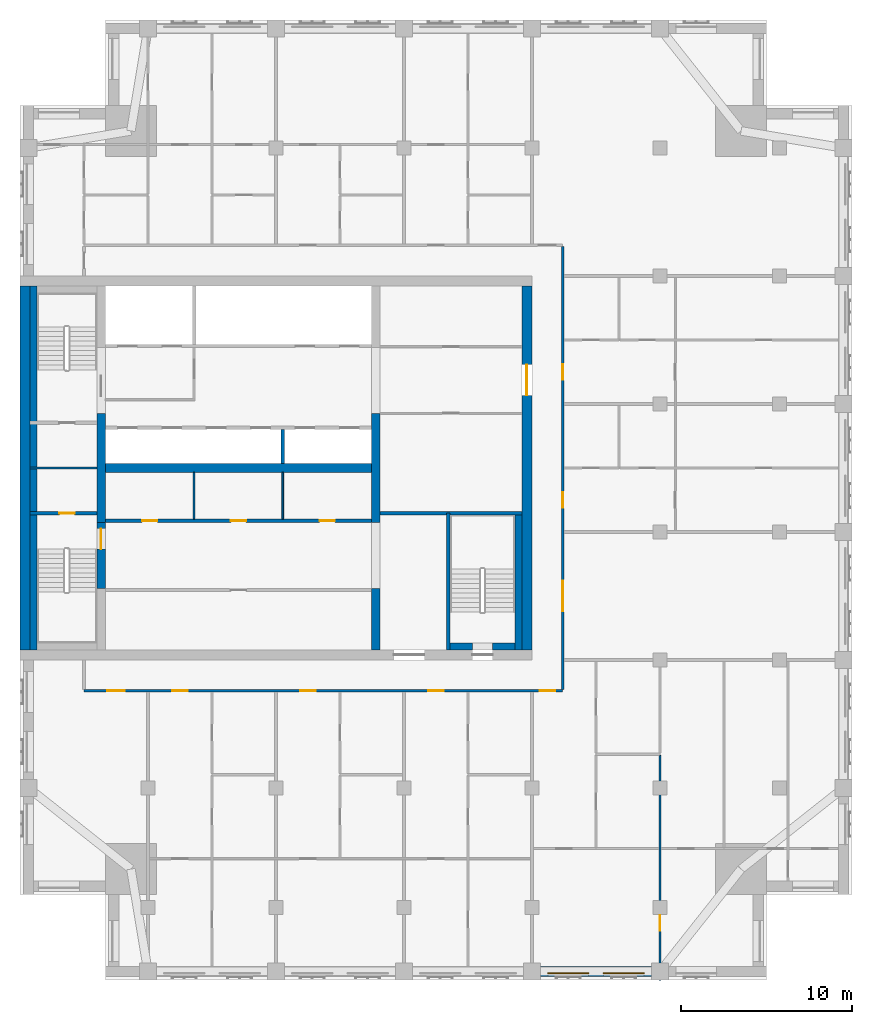
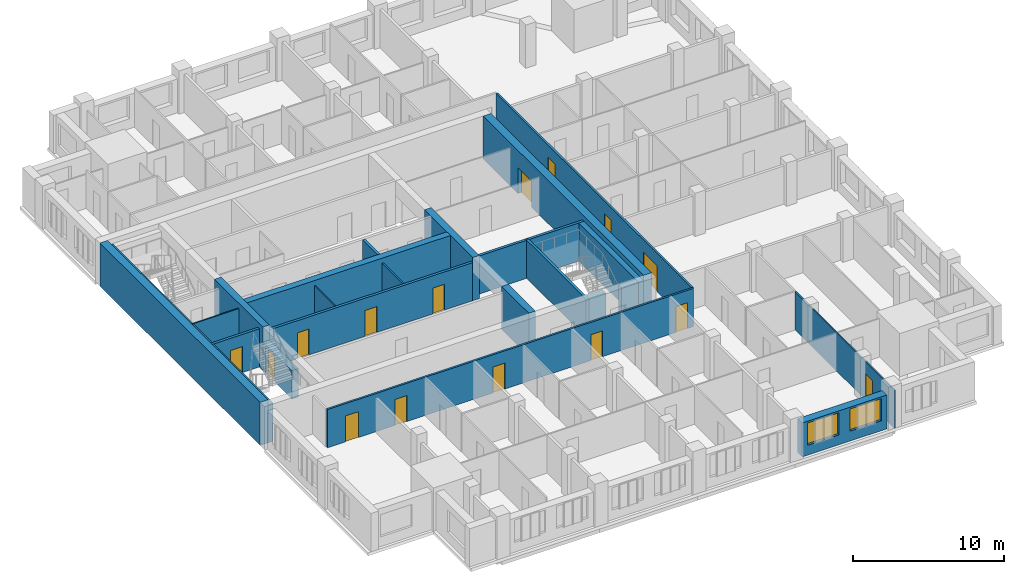
# One storey, part 4 of 11: 23 walls, 15 doors, 2 windows, 17 openings.
"""IFC4 building model written with IfcOpenShell, lengths in metres."""

from ifc_helpers import new_model, si_unit, direction, frame, frame_2d, origin, place, context, subcontext, project, spatial, rectangle, extrude, material, layer, layer_set, type_object, element, fill, save


model = new_model("IFC4")

# Units and contexts
model_context = context("Model", 3, precision=1e-05, world=origin(), true_north=direction((0.0, 1.0)))
body_context = subcontext(model_context, "Body", "Model", "MODEL_VIEW")
ifc_project = project(units=[si_unit("LENGTHUNIT", "METRE"), si_unit("AREAUNIT", "SQUARE_METRE"), si_unit("VOLUMEUNIT", "CUBIC_METRE"), si_unit("PLANEANGLEUNIT", "RADIAN"), si_unit("MASSUNIT", "GRAM", prefix="KILO")], contexts=[model_context])

# Site, building, storey
site_placement = place(None, origin())
site = spatial("IfcSite", under=ifc_project, at=site_placement, CompositionType="ELEMENT")
building_placement = place(site_placement, origin())
building = spatial("IfcBuilding", under=site, at=building_placement, Name="Tamorin Gate", CompositionType="ELEMENT")
storey_placement = place(building_placement, frame((0.0, 0.0, 254.699951171875)))
storey = spatial("IfcBuildingStorey", under=building, at=storey_placement, Name="L64", CompositionType="ELEMENT", Elevation=254.699951171875)

# Wall, openings, windows
ifc_material_1 = material(Name="Precast concrete C40/50", Category="concrete")
ifc_layer_1 = layer(ifc_material_1, 0.60009765625)
ifc_layer_set_1 = layer_set([ifc_layer_1], Name="Precast concrete C40/50")
wall_type_1 = type_object("IfcWallType", Name="Board-marked concrete facade panel 600", PredefinedType="SOLIDWALL", material=ifc_layer_set_1)
wall_1_placement = place(storey_placement, frame((60.5, 41.75, 0.0), z_axis=(0.0, 0.0, 1.0), x_axis=(1.0, 0.0, 0.0)))
wall_1 = element("IfcWall", 1, at=wall_1_placement, inside=storey, type_object=wall_type_1, Name="Facade panel", PredefinedType="SOLIDWALL", context=body_context, shape_type="SweptSolid", body=[
    extrude(rectangle(XDim=6.5, YDim=0.60009765625, at=frame_2d((3.25, 0.0))), origin(), (0.0, 0.0, 1.0), 2.75),
])
opening_1_placement = place(wall_1_placement, frame((0.425048828125, 0.0, 0.800048828125)))
opening_1 = element("IfcOpeningElement", 2, at=opening_1_placement, cuts=wall_1, Name="Opening WN1", PredefinedType="OPENING", context=body_context, shape_type="SweptSolid", body=[
    extrude(rectangle(XDim=2.39990234375, YDim=1.800048828125, at=frame_2d((1.199951171875, 0.89990234375))), frame((0.0, 0.31005859375, 0.0), z_axis=(0.0, -1.0, 0.0), x_axis=(1.0, 0.0, 0.0)), (0.0, 0.0, 1.0), 0.6201171875),
])
opening_2_placement = place(wall_1_placement, frame((3.675048828125, 0.0, 0.800048828125)))
opening_2 = element("IfcOpeningElement", 3, at=opening_2_placement, cuts=wall_1, Name="Opening WN1", PredefinedType="OPENING", context=body_context, shape_type="SweptSolid", body=[
    extrude(rectangle(XDim=2.39990234375, YDim=1.800048828125, at=frame_2d((1.199951171875, 0.89990234375))), frame((0.0, 0.31005859375, 0.0), z_axis=(0.0, -1.0, 0.0), x_axis=(1.0, 0.0, 0.0)), (0.0, 0.0, 1.0), 0.6201171875),
])
ifc_material_2 = material(Name="Clear glass in aluminium frame", Category="aluminium")
window_type = type_object("IfcWindowType", Name="Deep-set window 2400x1800", PartitioningType="SINGLE_PANEL", PredefinedType="WINDOW", material=ifc_material_2)
window_1_placement = place(opening_1_placement, origin())
window_1 = element("IfcWindow", 4, at=window_1_placement, inside=storey, type_object=window_type, Name="Deep-set window", OverallHeight=1.800048828125, OverallWidth=2.39990234375, PartitioningType="SINGLE_PANEL", PredefinedType="WINDOW", context=body_context, shape_type="SweptSolid", body=[
    extrude(rectangle(XDim=2.39990234375, YDim=1.800048828125, at=frame_2d((1.199951171875, 0.89990234375))), frame((0.0, -0.070068359375, 0.0), z_axis=(0.0, -1.0, 0.0), x_axis=(1.0, 0.0, 0.0)), (0.0, 0.0, 1.0), 0.06005859375),
])
fill(opening_1, window_1)
window_2_placement = place(opening_2_placement, origin())
window_2 = element("IfcWindow", 5, at=window_2_placement, inside=storey, type_object=window_type, Name="Deep-set window", OverallHeight=1.800048828125, OverallWidth=2.39990234375, PartitioningType="SINGLE_PANEL", PredefinedType="WINDOW", context=body_context, shape_type="SweptSolid", body=[
    extrude(rectangle(XDim=2.39990234375, YDim=1.800048828125, at=frame_2d((1.199951171875, 0.89990234375))), frame((0.0, -0.070068359375, 0.0), z_axis=(0.0, -1.0, 0.0), x_axis=(1.0, 0.0, 0.0)), (0.0, 0.0, 1.0), 0.06005859375),
])
fill(opening_2, window_2)

# Wall, openings, doors
ifc_material_3 = material(Name="Gypsum board partition")
ifc_layer_2 = layer(ifc_material_3, 0.14990234375)
ifc_layer_set_2 = layer_set([ifc_layer_2], Name="Corridor wall 150")
wall_type_2 = type_object("IfcWallType", Name="Corridor wall 150", PredefinedType="PARTITIONING", material=ifc_layer_set_2)
wall_2_placement = place(storey_placement, frame((33.75, 58.199951171875, 0.0), z_axis=(0.0, 0.0, 1.0), x_axis=(1.0, 0.0, 0.0)))
wall_2 = element("IfcWall", 6, at=wall_2_placement, inside=storey, type_object=wall_type_2, Name="Corridor wall 150", PredefinedType="PARTITIONING", context=body_context, shape_type="SweptSolid", body=[
    extrude(rectangle(XDim=28.050048828125, YDim=0.14990234375, at=frame_2d((14.02490234375, 0.0))), origin(), (0.0, 0.0, 1.0), 3.10009765625),
])
opening_3_placement = place(wall_2_placement, frame((1.375, 0.0, 0.0)))
opening_3 = element("IfcOpeningElement", 7, at=opening_3_placement, cuts=wall_2, Name="Opening DR6001", PredefinedType="OPENING", context=body_context, shape_type="SweptSolid", body=[
    extrude(rectangle(XDim=1.0, YDim=2.10009765625, at=frame_2d((0.5, 1.050048828125))), frame((0.0, 0.0849609375, 0.0), z_axis=(0.0, -1.0, 0.0), x_axis=(1.0, 0.0, 0.0)), (0.0, 0.0, 1.0), 0.169921875),
])
opening_4_placement = place(wall_2_placement, frame((5.175048828125, 0.0, 0.0)))
opening_4 = element("IfcOpeningElement", 8, at=opening_4_placement, cuts=wall_2, Name="Opening DR6002", PredefinedType="OPENING", context=body_context, shape_type="SweptSolid", body=[
    extrude(rectangle(XDim=0.89990234375, YDim=2.10009765625, at=frame_2d((0.449951171875, 1.050048828125))), frame((0.0, 0.0849609375, 0.0), z_axis=(0.0, -1.0, 0.0), x_axis=(1.0, 0.0, 0.0)), (0.0, 0.0, 1.0), 0.169921875),
])
opening_5_placement = place(wall_2_placement, frame((12.675048828125, 0.0, 0.0)))
opening_5 = element("IfcOpeningElement", 9, at=opening_5_placement, cuts=wall_2, Name="Opening DR6007", PredefinedType="OPENING", context=body_context, shape_type="SweptSolid", body=[
    extrude(rectangle(XDim=0.89990234375, YDim=2.10009765625, at=frame_2d((0.449951171875, 1.050048828125))), frame((0.0, 0.0849609375, 0.0), z_axis=(0.0, -1.0, 0.0), x_axis=(1.0, 0.0, 0.0)), (0.0, 0.0, 1.0), 0.169921875),
])
opening_6_placement = place(wall_2_placement, frame((20.175048828125, 0.0, 0.0)))
opening_6 = element("IfcOpeningElement", 10, at=opening_6_placement, cuts=wall_2, Name="Opening DR6011", PredefinedType="OPENING", context=body_context, shape_type="SweptSolid", body=[
    extrude(rectangle(XDim=0.89990234375, YDim=2.10009765625, at=frame_2d((0.449951171875, 1.050048828125))), frame((0.0, 0.0849609375, 0.0), z_axis=(0.0, -1.0, 0.0), x_axis=(1.0, 0.0, 0.0)), (0.0, 0.0, 1.0), 0.169921875),
])
opening_7_placement = place(wall_2_placement, frame((26.699951171875, 0.0, 0.0)))
opening_7 = element("IfcOpeningElement", 11, at=opening_7_placement, cuts=wall_2, Name="Opening DR6016", PredefinedType="OPENING", context=body_context, shape_type="SweptSolid", body=[
    extrude(rectangle(XDim=0.89990234375, YDim=2.10009765625, at=frame_2d((0.449951171875, 1.050048828125))), frame((0.0, 0.0849609375, 0.0), z_axis=(0.0, -1.0, 0.0), x_axis=(1.0, 0.0, 0.0)), (0.0, 0.0, 1.0), 0.169921875),
])
ifc_material_4 = material(Name="Timber door leaf", Category="wood")
door_type_1 = type_object("IfcDoorType", Name="Door 1000 x 2100 FD30S", OperationType="NOTDEFINED", PredefinedType="DOOR", material=ifc_material_4)
door_1_placement = place(opening_3_placement, origin())
door_1 = element("IfcDoor", 12, at=door_1_placement, inside=storey, type_object=door_type_1, Name="Door DR6001", OperationType="SINGLE_SWING_RIGHT", OverallHeight=2.10009765625, OverallWidth=1.0, PredefinedType="DOOR", context=body_context, shape_type="SweptSolid", body=[
    extrude(rectangle(XDim=1.0, YDim=2.10009765625, at=frame_2d((0.5, 1.050048828125))), frame((0.0, 0.02490234375, 0.0), z_axis=(0.0, -1.0, 0.0), x_axis=(1.0, 0.0, 0.0)), (0.0, 0.0, 1.0), 0.050048828125),
])
fill(opening_3, door_1)
door_type_2 = type_object("IfcDoorType", Name="Door 900 x 2100 FD30S", OperationType="NOTDEFINED", PredefinedType="DOOR", material=ifc_material_4)
door_2_placement = place(opening_4_placement, origin())
door_2 = element("IfcDoor", 13, at=door_2_placement, inside=storey, type_object=door_type_2, Name="Door DR6002", OperationType="SINGLE_SWING_RIGHT", OverallHeight=2.10009765625, OverallWidth=0.89990234375, PredefinedType="DOOR", context=body_context, shape_type="SweptSolid", body=[
    extrude(rectangle(XDim=0.89990234375, YDim=2.10009765625, at=frame_2d((0.449951171875, 1.050048828125))), frame((0.0, 0.02490234375, 0.0), z_axis=(0.0, -1.0, 0.0), x_axis=(1.0, 0.0, 0.0)), (0.0, 0.0, 1.0), 0.050048828125),
])
fill(opening_4, door_2)
door_3_placement = place(opening_5_placement, origin())
door_3 = element("IfcDoor", 14, at=door_3_placement, inside=storey, type_object=door_type_2, Name="Door DR6007", OperationType="SINGLE_SWING_RIGHT", OverallHeight=2.10009765625, OverallWidth=0.89990234375, PredefinedType="DOOR", context=body_context, shape_type="SweptSolid", body=[
    extrude(rectangle(XDim=0.89990234375, YDim=2.10009765625, at=frame_2d((0.449951171875, 1.050048828125))), frame((0.0, 0.02490234375, 0.0), z_axis=(0.0, -1.0, 0.0), x_axis=(1.0, 0.0, 0.0)), (0.0, 0.0, 1.0), 0.050048828125),
])
fill(opening_5, door_3)
door_4_placement = place(opening_6_placement, origin())
door_4 = element("IfcDoor", 15, at=door_4_placement, inside=storey, type_object=door_type_2, Name="Door DR6011", OperationType="SINGLE_SWING_RIGHT", OverallHeight=2.10009765625, OverallWidth=0.89990234375, PredefinedType="DOOR", context=body_context, shape_type="SweptSolid", body=[
    extrude(rectangle(XDim=0.89990234375, YDim=2.10009765625, at=frame_2d((0.449951171875, 1.050048828125))), frame((0.0, 0.02490234375, 0.0), z_axis=(0.0, -1.0, 0.0), x_axis=(1.0, 0.0, 0.0)), (0.0, 0.0, 1.0), 0.050048828125),
])
fill(opening_6, door_4)
door_5_placement = place(opening_7_placement, origin())
door_5 = element("IfcDoor", 16, at=door_5_placement, inside=storey, type_object=door_type_2, Name="Door DR6016", OperationType="SINGLE_SWING_RIGHT", OverallHeight=2.10009765625, OverallWidth=0.89990234375, PredefinedType="DOOR", context=body_context, shape_type="SweptSolid", body=[
    extrude(rectangle(XDim=0.89990234375, YDim=2.10009765625, at=frame_2d((0.449951171875, 1.050048828125))), frame((0.0, 0.02490234375, 0.0), z_axis=(0.0, -1.0, 0.0), x_axis=(1.0, 0.0, 0.0)), (0.0, 0.0, 1.0), 0.050048828125),
])
fill(opening_7, door_5)

wall_3_placement = place(storey_placement, frame((61.800048828125, 58.27490234375, 0.0), z_axis=(0.0, 0.0, 1.0), x_axis=(0.0, 1.0, 0.0)))
wall_3 = element("IfcWall", 17, at=wall_3_placement, inside=storey, type_object=wall_type_2, Name="Corridor wall 150", PredefinedType="PARTITIONING", context=body_context, shape_type="SweptSolid", body=[
    extrude(rectangle(XDim=25.9501953125, YDim=0.14990234375, at=frame_2d((12.97509765625, 0.0))), origin(), (0.0, 0.0, 1.0), 3.10009765625),
])
opening_8_placement = place(wall_3_placement, frame((4.574951171875, 0.0, 0.0)))
opening_8 = element("IfcOpeningElement", 18, at=opening_8_placement, cuts=wall_3, Name="Opening DR6044", PredefinedType="OPENING", context=body_context, shape_type="SweptSolid", body=[
    extrude(rectangle(XDim=1.800048828125, YDim=2.10009765625, at=frame_2d((0.89990234375, 1.050048828125))), frame((0.0, 0.0849609375, 0.0), z_axis=(0.0, -1.0, 0.0), x_axis=(1.0, 0.0, 0.0)), (0.0, 0.0, 1.0), 0.169921875),
])
opening_9_placement = place(wall_3_placement, frame((10.64990234375, 0.0, 0.0)))
opening_9 = element("IfcOpeningElement", 19, at=opening_9_placement, cuts=wall_3, Name="Opening DR6045", PredefinedType="OPENING", context=body_context, shape_type="SweptSolid", body=[
    extrude(rectangle(XDim=0.89990234375, YDim=2.10009765625, at=frame_2d((0.449951171875, 1.050048828125))), frame((0.0, 0.0849609375, 0.0), z_axis=(0.0, -1.0, 0.0), x_axis=(1.0, 0.0, 0.0)), (0.0, 0.0, 1.0), 0.169921875),
])
opening_10_placement = place(wall_3_placement, frame((18.14990234375, 0.0, 0.0)))
opening_10 = element("IfcOpeningElement", 20, at=opening_10_placement, cuts=wall_3, Name="Opening DR6050", PredefinedType="OPENING", context=body_context, shape_type="SweptSolid", body=[
    extrude(rectangle(XDim=0.89990234375, YDim=2.10009765625, at=frame_2d((0.449951171875, 1.050048828125))), frame((0.0, 0.0849609375, 0.0), z_axis=(0.0, -1.0, 0.0), x_axis=(1.0, 0.0, 0.0)), (0.0, 0.0, 1.0), 0.169921875),
])
door_type_3 = type_object("IfcDoorType", Name="Door 1800 x 2100 FD30S", OperationType="DOUBLE_DOOR_SINGLE_SWING", PredefinedType="DOOR", material=ifc_material_4)
door_6_placement = place(opening_8_placement, origin())
door_6 = element("IfcDoor", 21, at=door_6_placement, inside=storey, type_object=door_type_3, Name="Door DR6044", OperationType="DOUBLE_DOOR_SINGLE_SWING", OverallHeight=2.10009765625, OverallWidth=1.800048828125, PredefinedType="DOOR", context=body_context, shape_type="SweptSolid", body=[
    extrude(rectangle(XDim=1.800048828125, YDim=2.10009765625, at=frame_2d((0.89990234375, 1.050048828125))), frame((0.0, 0.02490234375, 0.0), z_axis=(0.0, -1.0, 0.0), x_axis=(1.0, 0.0, 0.0)), (0.0, 0.0, 1.0), 0.050048828125),
])
fill(opening_8, door_6)
door_7_placement = place(opening_9_placement, origin())
door_7 = element("IfcDoor", 22, at=door_7_placement, inside=storey, type_object=door_type_2, Name="Door DR6045", OperationType="SINGLE_SWING_RIGHT", OverallHeight=2.10009765625, OverallWidth=0.89990234375, PredefinedType="DOOR", context=body_context, shape_type="SweptSolid", body=[
    extrude(rectangle(XDim=0.89990234375, YDim=2.10009765625, at=frame_2d((0.449951171875, 1.050048828125))), frame((0.0, 0.02490234375, 0.0), z_axis=(0.0, -1.0, 0.0), x_axis=(1.0, 0.0, 0.0)), (0.0, 0.0, 1.0), 0.050048828125),
])
fill(opening_9, door_7)
door_8_placement = place(opening_10_placement, origin())
door_8 = element("IfcDoor", 23, at=door_8_placement, inside=storey, type_object=door_type_2, Name="Door DR6050", OperationType="SINGLE_SWING_RIGHT", OverallHeight=2.10009765625, OverallWidth=0.89990234375, PredefinedType="DOOR", context=body_context, shape_type="SweptSolid", body=[
    extrude(rectangle(XDim=0.89990234375, YDim=2.10009765625, at=frame_2d((0.449951171875, 1.050048828125))), frame((0.0, 0.02490234375, 0.0), z_axis=(0.0, -1.0, 0.0), x_axis=(1.0, 0.0, 0.0)), (0.0, 0.0, 1.0), 0.050048828125),
])
fill(opening_10, door_8)

# Walls
ifc_material_5 = material(Name="Concrete C32/40", Category="concrete")
ifc_layer_3 = layer(ifc_material_5, 0.199951171875)
ifc_layer_set_3 = layer_set([ifc_layer_3], Name="Lift shaft wall 200 EI 120")
wall_type_3 = type_object("IfcWallType", Name="Lift shaft wall 200 EI 120", PredefinedType="SOLIDWALL", material=ifc_layer_set_3)
wall_4_placement = place(storey_placement, frame((45.39990234375, 71.5, 0.0), z_axis=(0.0, 0.0, 1.0), x_axis=(0.0, 1.0, 0.0)))
element("IfcWall", 24, at=wall_4_placement, inside=storey, type_object=wall_type_3, Name="Lift shaft wall", PredefinedType="SOLIDWALL", context=body_context, shape_type="SweptSolid", body=[
    extrude(rectangle(XDim=2.0, YDim=0.199951171875, at=frame_2d((1.0, 0.0))), origin(), (0.0, 0.0, 1.0), 3.5),
])
ifc_material_6 = material(Name="Concrete C50/60", Category="concrete")
ifc_layer_4 = layer(ifc_material_6, 0.5)
ifc_layer_set_4 = layer_set([ifc_layer_4], Name="RC core internal wall 500 C50/60")
wall_type_4 = type_object("IfcWallType", Name="RC core internal wall 500 C50/60", PredefinedType="SHEAR", material=ifc_layer_set_4)
wall_5_placement = place(storey_placement, frame((35.0, 71.25, 0.0), z_axis=(0.0, 0.0, 1.0), x_axis=(1.0, 0.0, 0.0)))
element("IfcWall", 25, at=wall_5_placement, inside=storey, type_object=wall_type_4, Name="Core spine wall L64", PredefinedType="SHEAR", context=body_context, shape_type="SweptSolid", body=[
    extrude(rectangle(XDim=15.60009765625, YDim=0.5, at=frame_2d((7.800048828125, 0.0))), origin(), (0.0, 0.0, 1.0), 3.5),
])
wall_6_placement = place(storey_placement, frame((34.75, 68.050048828125, 0.0), z_axis=(0.0, 0.0, 1.0), x_axis=(0.0, 1.0, 0.0)))
element("IfcWall", 26, at=wall_6_placement, inside=storey, type_object=wall_type_4, Name="Core cross wall L64", PredefinedType="SHEAR", context=body_context, shape_type="SweptSolid", body=[
    extrude(rectangle(XDim=6.39990234375, YDim=0.5, at=frame_2d((3.199951171875, 0.0))), origin(), (0.0, 0.0, 1.0), 3.5),
])
wall_7_placement = place(storey_placement, frame((50.85009765625, 60.60009765625, 0.0), z_axis=(0.0, 0.0, 1.0), x_axis=(0.0, 1.0, 0.0)))
element("IfcWall", 27, at=wall_7_placement, inside=storey, type_object=wall_type_4, Name="Core cross wall L64", PredefinedType="SHEAR", context=body_context, shape_type="SweptSolid", body=[
    extrude(rectangle(XDim=3.599853515625, YDim=0.5, at=frame_2d((1.7998046875, 0.0))), origin(), (0.0, 0.0, 1.0), 3.5),
])
wall_8_placement = place(storey_placement, frame((50.85009765625, 68.050048828125, 0.0), z_axis=(0.0, 0.0, 1.0), x_axis=(0.0, 1.0, 0.0)))
element("IfcWall", 28, at=wall_8_placement, inside=storey, type_object=wall_type_4, Name="Core cross wall L64", PredefinedType="SHEAR", context=body_context, shape_type="SweptSolid", body=[
    extrude(rectangle(XDim=6.39990234375, YDim=0.5, at=frame_2d((3.199951171875, 0.0))), origin(), (0.0, 0.0, 1.0), 3.5),
])
ifc_layer_5 = layer(ifc_material_6, 0.60009765625)
ifc_layer_set_5 = layer_set([ifc_layer_5], Name="RC core wall 600 C50/60")
wall_type_5 = type_object("IfcWallType", Name="RC core wall 600 C50/60", PredefinedType="SHEAR", material=ifc_layer_set_5)
wall_9_placement = place(storey_placement, frame((30.300048828125, 60.60009765625, 0.0), z_axis=(0.0, 0.0, 1.0), x_axis=(0.0, 1.0, 0.0)))
element("IfcWall", 29, at=wall_9_placement, inside=storey, type_object=wall_type_5, Name="Core wall L64", PredefinedType="SHEAR", context=body_context, shape_type="SweptSolid", body=[
    extrude(rectangle(XDim=21.2998046875, YDim=0.60009765625, at=frame_2d((10.64990234375, 0.0))), origin(), (0.0, 0.0, 1.0), 3.5),
])

# Wall, opening, door
wall_10_placement = place(storey_placement, frame((59.699951171875, 60.60009765625, 0.0), z_axis=(0.0, 0.0, 1.0), x_axis=(0.0, 1.0, 0.0)))
wall_10 = element("IfcWall", 30, at=wall_10_placement, inside=storey, type_object=wall_type_5, Name="Core wall L64", PredefinedType="SHEAR", context=body_context, shape_type="SweptSolid", body=[
    extrude(rectangle(XDim=21.2998046875, YDim=0.60009765625, at=frame_2d((10.64990234375, 0.0))), origin(), (0.0, 0.0, 1.0), 3.5),
])
opening_11_placement = place(wall_10_placement, frame((14.89990234375, 0.0, 0.0)))
opening_11 = element("IfcOpeningElement", 31, at=opening_11_placement, cuts=wall_10, Name="Opening DE1", PredefinedType="OPENING", context=body_context, shape_type="SweptSolid", body=[
    extrude(rectangle(XDim=1.800048828125, YDim=2.10009765625, at=frame_2d((0.89990234375, 1.050048828125))), frame((0.0, 0.31005859375, 0.0), z_axis=(0.0, -1.0, 0.0), x_axis=(1.0, 0.0, 0.0)), (0.0, 0.0, 1.0), 0.6201171875),
])
ifc_material_7 = material(Name="Steel fire door", Category="steel")
door_type_4 = type_object("IfcDoorType", Name="Lobby exit double door 1800 x 2100 EI 60", OperationType="DOUBLE_DOOR_SINGLE_SWING", PredefinedType="DOOR", material=ifc_material_7)
door_9_placement = place(opening_11_placement, origin())
door_9 = element("IfcDoor", 32, at=door_9_placement, inside=storey, type_object=door_type_4, Name="Lift lobby B exit door", OperationType="DOUBLE_DOOR_SINGLE_SWING", OverallHeight=2.10009765625, OverallWidth=1.800048828125, PredefinedType="DOOR", context=body_context, shape_type="SweptSolid", body=[
    extrude(rectangle(XDim=1.800048828125, YDim=2.10009765625, at=frame_2d((0.89990234375, 1.050048828125))), frame((0.0, 0.02490234375, 0.0), z_axis=(0.0, -1.0, 0.0), x_axis=(1.0, 0.0, 0.0)), (0.0, 0.0, 1.0), 0.050048828125),
])
fill(opening_11, door_9)

# Wall
ifc_material_8 = material(Name="Fire-rated gypsum board partition")
ifc_layer_6 = layer(ifc_material_8, 0.10009765625)
ifc_layer_set_6 = layer_set([ifc_layer_6], Name="Riser partition 100 EI 120")
wall_type_6 = type_object("IfcWallType", Name="Riser partition 100 EI 120", PredefinedType="PARTITIONING", material=ifc_layer_set_6)
wall_11_placement = place(storey_placement, frame((30.60009765625, 71.25, 0.0), z_axis=(0.0, 0.0, 1.0), x_axis=(1.0, 0.0, 0.0)))
element("IfcWall", 33, at=wall_11_placement, inside=storey, type_object=wall_type_6, Name="Riser partition", PredefinedType="PARTITIONING", context=body_context, shape_type="SweptSolid", body=[
    extrude(rectangle(XDim=3.89990234375, YDim=0.10009765625, at=frame_2d((1.949951171875, 0.0))), origin(), (0.0, 0.0, 1.0), 3.090087890625),
])

# Wall, opening, door
ifc_layer_7 = layer(ifc_material_3, 0.10009765625)
ifc_layer_set_7 = layer_set([ifc_layer_7], Name="Room partition 100")
wall_type_7 = type_object("IfcWallType", Name="Room partition 100", PredefinedType="PARTITIONING", material=ifc_layer_set_7)
wall_12_placement = place(storey_placement, frame((67.5, 41.25, 0.0), z_axis=(0.0, 0.0, 1.0), x_axis=(0.0, 1.0, 0.0)))
wall_12 = element("IfcWall", 34, at=wall_12_placement, inside=storey, type_object=wall_type_7, Name="Room partition 100", PredefinedType="PARTITIONING", context=body_context, shape_type="SweptSolid", body=[
    extrude(rectangle(XDim=13.16259765625, YDim=0.10009765625, at=frame_2d((6.581298828125, 0.0))), origin(), (0.0, 0.0, 1.0), 3.10009765625),
])
opening_12_placement = place(wall_12_placement, frame((2.89990234375, 0.0, 0.0)))
opening_12 = element("IfcOpeningElement", 35, at=opening_12_placement, cuts=wall_12, Name="Opening DR6023", PredefinedType="OPENING", context=body_context, shape_type="SweptSolid", body=[
    extrude(rectangle(XDim=0.89990234375, YDim=2.10009765625, at=frame_2d((0.449951171875, 1.050048828125))), frame((0.0, 0.06005859375, 0.0), z_axis=(0.0, -1.0, 0.0), x_axis=(1.0, 0.0, 0.0)), (0.0, 0.0, 1.0), 0.1201171875),
])
door_type_5 = type_object("IfcDoorType", Name="Door 900 x 2100", OperationType="NOTDEFINED", PredefinedType="DOOR", material=ifc_material_4)
door_10_placement = place(opening_12_placement, origin())
door_10 = element("IfcDoor", 36, at=door_10_placement, inside=storey, type_object=door_type_5, Name="Door DR6023", OperationType="SINGLE_SWING_LEFT", OverallHeight=2.10009765625, OverallWidth=0.89990234375, PredefinedType="DOOR", context=body_context, shape_type="SweptSolid", body=[
    extrude(rectangle(XDim=0.89990234375, YDim=2.10009765625, at=frame_2d((0.449951171875, 1.050048828125))), frame((0.0, 0.02490234375, 0.0), z_axis=(0.0, -1.0, 0.0), x_axis=(1.0, 0.0, 0.0)), (0.0, 0.0, 1.0), 0.050048828125),
])
fill(opening_12, door_10)

# Wall, openings, doors
ifc_layer_8 = layer(ifc_material_3, 0.199951171875)
ifc_layer_set_8 = layer_set([ifc_layer_8], Name="Service room face wall 200 EI 60")
wall_type_8 = type_object("IfcWallType", Name="Service room face wall 200 EI 60", PredefinedType="PARTITIONING", material=ifc_layer_set_8)
wall_13_placement = place(storey_placement, frame((35.0, 68.14990234375, 0.0), z_axis=(0.0, 0.0, 1.0), x_axis=(1.0, 0.0, 0.0)))
wall_13 = element("IfcWall", 37, at=wall_13_placement, inside=storey, type_object=wall_type_8, Name="Service room face wall", PredefinedType="PARTITIONING", context=body_context, shape_type="SweptSolid", body=[
    extrude(rectangle(XDim=15.60009765625, YDim=0.199951171875, at=frame_2d((7.800048828125, 0.0))), origin(), (0.0, 0.0, 1.0), 3.090087890625),
])
opening_13_placement = place(wall_13_placement, frame((2.14990234375, 0.0, 0.0)))
opening_13 = element("IfcOpeningElement", 38, at=opening_13_placement, cuts=wall_13, Name="Opening DK1", PredefinedType="OPENING", context=body_context, shape_type="SweptSolid", body=[
    extrude(rectangle(XDim=0.89990234375, YDim=2.10009765625, at=frame_2d((0.449951171875, 1.050048828125))), frame((0.0, 0.10986328125, 0.0), z_axis=(0.0, -1.0, 0.0), x_axis=(1.0, 0.0, 0.0)), (0.0, 0.0, 1.0), 0.219970703125),
])
opening_14_placement = place(wall_13_placement, frame((7.35009765625, 0.0, 0.0)))
opening_14 = element("IfcOpeningElement", 39, at=opening_14_placement, cuts=wall_13, Name="Opening DK1", PredefinedType="OPENING", context=body_context, shape_type="SweptSolid", body=[
    extrude(rectangle(XDim=0.89990234375, YDim=2.10009765625, at=frame_2d((0.449951171875, 1.050048828125))), frame((0.0, 0.10986328125, 0.0), z_axis=(0.0, -1.0, 0.0), x_axis=(1.0, 0.0, 0.0)), (0.0, 0.0, 1.0), 0.219970703125),
])
opening_15_placement = place(wall_13_placement, frame((12.550048828125, 0.0, 0.0)))
opening_15 = element("IfcOpeningElement", 40, at=opening_15_placement, cuts=wall_13, Name="Opening DK1", PredefinedType="OPENING", context=body_context, shape_type="SweptSolid", body=[
    extrude(rectangle(XDim=0.89990234375, YDim=2.10009765625, at=frame_2d((0.449951171875, 1.050048828125))), frame((0.0, 0.10986328125, 0.0), z_axis=(0.0, -1.0, 0.0), x_axis=(1.0, 0.0, 0.0)), (0.0, 0.0, 1.0), 0.219970703125),
])
ifc_material_9 = material(Name="Timber fire door", Category="wood")
door_type_6 = type_object("IfcDoorType", Name="Service room door 900 x 2100 EI 60", OperationType="SINGLE_SWING_LEFT", PredefinedType="DOOR", material=ifc_material_9)
door_11_placement = place(opening_13_placement, origin())
door_11 = element("IfcDoor", 41, at=door_11_placement, inside=storey, type_object=door_type_6, Name="Door Cleaner's store", OperationType="SINGLE_SWING_RIGHT", OverallHeight=2.10009765625, OverallWidth=0.89990234375, PredefinedType="DOOR", context=body_context, shape_type="SweptSolid", body=[
    extrude(rectangle(XDim=0.89990234375, YDim=2.10009765625, at=frame_2d((0.449951171875, 1.050048828125))), frame((0.0, 0.02490234375, 0.0), z_axis=(0.0, -1.0, 0.0), x_axis=(1.0, 0.0, 0.0)), (0.0, 0.0, 1.0), 0.050048828125),
])
fill(opening_13, door_11)
door_12_placement = place(opening_14_placement, origin())
door_12 = element("IfcDoor", 42, at=door_12_placement, inside=storey, type_object=door_type_6, Name="Door Luggage store", OperationType="SINGLE_SWING_LEFT", OverallHeight=2.10009765625, OverallWidth=0.89990234375, PredefinedType="DOOR", context=body_context, shape_type="SweptSolid", body=[
    extrude(rectangle(XDim=0.89990234375, YDim=2.10009765625, at=frame_2d((0.449951171875, 1.050048828125))), frame((0.0, 0.02490234375, 0.0), z_axis=(0.0, -1.0, 0.0), x_axis=(1.0, 0.0, 0.0)), (0.0, 0.0, 1.0), 0.050048828125),
])
fill(opening_14, door_12)
door_13_placement = place(opening_15_placement, origin())
door_13 = element("IfcDoor", 43, at=door_13_placement, inside=storey, type_object=door_type_6, Name="Door IT room", OperationType="SINGLE_SWING_RIGHT", OverallHeight=2.10009765625, OverallWidth=0.89990234375, PredefinedType="DOOR", context=body_context, shape_type="SweptSolid", body=[
    extrude(rectangle(XDim=0.89990234375, YDim=2.10009765625, at=frame_2d((0.449951171875, 1.050048828125))), frame((0.0, 0.02490234375, 0.0), z_axis=(0.0, -1.0, 0.0), x_axis=(1.0, 0.0, 0.0)), (0.0, 0.0, 1.0), 0.050048828125),
])
fill(opening_15, door_13)

# Walls
ifc_layer_9 = layer(ifc_material_3, 0.10009765625)
ifc_layer_set_9 = layer_set([ifc_layer_9], Name="Service room partition 100 EI 60")
wall_type_9 = type_object("IfcWallType", Name="Service room partition 100 EI 60", PredefinedType="PARTITIONING", material=ifc_layer_set_9)
for number, where, z_axis, x_axis, name in (
    (44, (40.199951171875, 68.25, 0.0), (0.0, 0.0, 1.0), (0.0, 1.0, 0.0), "Service room partition"),
    (45, (45.39990234375, 68.25, 0.0), (0.0, 0.0, 1.0), (0.0, 1.0, 0.0), "Service room partition"),
):
    element("IfcWall", number, at=place(storey_placement, frame(where, z_axis=z_axis, x_axis=x_axis)), inside=storey, type_object=wall_type_9, Name=name, PredefinedType="PARTITIONING", context=body_context, shape_type="SweptSolid", body=[
        extrude(rectangle(XDim=2.75, YDim=0.10009765625, at=frame_2d((1.375, 0.0))), origin(), (0.0, 0.0, 1.0), 3.090087890625),
    ])

# Wall, opening, door
ifc_material_10 = material(Name="Concrete C40/50", Category="concrete")
ifc_layer_10 = layer(ifc_material_10, 0.199951171875)
ifc_layer_set_10 = layer_set([ifc_layer_10], Name="Stair enclosure wall 200 EI 120 C40/50")
wall_type_10 = type_object("IfcWallType", Name="Stair enclosure wall 200 EI 120 C40/50", PredefinedType="SOLIDWALL", material=ifc_layer_set_10)
wall_14_placement = place(storey_placement, frame((30.60009765625, 68.60009765625, 0.0), z_axis=(0.0, 0.0, 1.0), x_axis=(1.0, 0.0, 0.0)))
wall_14 = element("IfcWall", 46, at=wall_14_placement, inside=storey, type_object=wall_type_10, Name="Stair enclosure wall", PredefinedType="SOLIDWALL", context=body_context, shape_type="SweptSolid", body=[
    extrude(rectangle(XDim=3.89990234375, YDim=0.199951171875, at=frame_2d((1.949951171875, 0.0))), origin(), (0.0, 0.0, 1.0), 3.090087890625),
])
opening_16_placement = place(wall_14_placement, frame((1.699951171875, 0.0, 0.0)))
opening_16 = element("IfcOpeningElement", 47, at=opening_16_placement, cuts=wall_14, Name="Opening DR1", PredefinedType="OPENING", context=body_context, shape_type="SweptSolid", body=[
    extrude(rectangle(XDim=0.89990234375, YDim=2.10009765625, at=frame_2d((0.449951171875, 1.050048828125))), frame((0.0, 0.10986328125, 0.0), z_axis=(0.0, -1.0, 0.0), x_axis=(1.0, 0.0, 0.0)), (0.0, 0.0, 1.0), 0.219970703125),
])
door_type_7 = type_object("IfcDoorType", Name="Riser access door 900 x 2100 EI 120", OperationType="SINGLE_SWING_LEFT", PredefinedType="DOOR", material=ifc_material_7)
door_14_placement = place(opening_16_placement, origin())
door_14 = element("IfcDoor", 48, at=door_14_placement, inside=storey, type_object=door_type_7, Name="Electrical riser door", OperationType="SINGLE_SWING_LEFT", OverallHeight=2.10009765625, OverallWidth=0.89990234375, PredefinedType="DOOR", context=body_context, shape_type="SweptSolid", body=[
    extrude(rectangle(XDim=0.89990234375, YDim=2.10009765625, at=frame_2d((0.449951171875, 1.050048828125))), frame((0.0, 0.02490234375, 0.0), z_axis=(0.0, -1.0, 0.0), x_axis=(1.0, 0.0, 0.0)), (0.0, 0.0, 1.0), 0.050048828125),
])
fill(opening_16, door_14)

# Walls
wall_15_placement = place(storey_placement, frame((55.10009765625, 60.60009765625, 0.0), z_axis=(0.0, 0.0, 1.0), x_axis=(0.0, 1.0, 0.0)))
element("IfcWall", 49, at=wall_15_placement, inside=storey, type_object=wall_type_10, Name="Stair enclosure wall", PredefinedType="SOLIDWALL", context=body_context, shape_type="SweptSolid", body=[
    extrude(rectangle(XDim=8.0, YDim=0.199951171875, at=frame_2d((4.0, 0.0))), origin(), (0.0, 0.0, 1.0), 3.090087890625),
])
wall_16_placement = place(storey_placement, frame((51.10009765625, 68.60009765625, 0.0), z_axis=(0.0, 0.0, 1.0), x_axis=(1.0, 0.0, 0.0)))
element("IfcWall", 50, at=wall_16_placement, inside=storey, type_object=wall_type_10, Name="Stair enclosure wall", PredefinedType="SOLIDWALL", context=body_context, shape_type="SweptSolid", body=[
    extrude(rectangle(XDim=8.2998046875, YDim=0.199951171875, at=frame_2d((4.14990234375, 0.0))), origin(), (0.0, 0.0, 1.0), 3.090087890625),
])
ifc_layer_11 = layer(ifc_material_6, 0.39990234375)
ifc_layer_set_11 = layer_set([ifc_layer_11], Name="Stair lining wall 400 EI 120 C50/60")
wall_type_11 = type_object("IfcWallType", Name="Stair lining wall 400 EI 120 C50/60", PredefinedType="SOLIDWALL", material=ifc_layer_set_11)
wall_17_placement = place(storey_placement, frame((30.800048828125, 60.60009765625, 0.0), z_axis=(0.0, 0.0, 1.0), x_axis=(0.0, 1.0, 0.0)))
element("IfcWall", 51, at=wall_17_placement, inside=storey, type_object=wall_type_11, Name="Stair lining wall", PredefinedType="SOLIDWALL", context=body_context, shape_type="SweptSolid", body=[
    extrude(rectangle(XDim=21.2998046875, YDim=0.39990234375, at=frame_2d((10.64990234375, 0.0))), origin(), (0.0, 0.0, 1.0), 3.090087890625),
])
for number, where, z_axis, x_axis, name in (
    (52, (55.199951171875, 60.800048828125, 0.0), (0.0, 0.0, 1.0), (1.0, 0.0, 0.0), "Stair lining wall"),
    (53, (57.699951171875, 60.800048828125, 0.0), (0.0, 0.0, 1.0), (1.0, 0.0, 0.0), "Stair lining wall"),
):
    element("IfcWall", number, at=place(storey_placement, frame(where, z_axis=z_axis, x_axis=x_axis)), inside=storey, type_object=wall_type_11, Name=name, PredefinedType="SOLIDWALL", context=body_context, shape_type="SweptSolid", body=[
        extrude(rectangle(XDim=1.300048828125, YDim=0.39990234375, at=frame_2d((0.64990234375, 0.0))), origin(), (0.0, 0.0, 1.0), 3.090087890625),
    ])
wall_18_placement = place(storey_placement, frame((59.199951171875, 60.60009765625, 0.0), z_axis=(0.0, 0.0, 1.0), x_axis=(0.0, 1.0, 0.0)))
element("IfcWall", 54, at=wall_18_placement, inside=storey, type_object=wall_type_11, Name="Stair lining wall", PredefinedType="SOLIDWALL", context=body_context, shape_type="SweptSolid", body=[
    extrude(rectangle(XDim=7.89990234375, YDim=0.39990234375, at=frame_2d((3.949951171875, 0.0))), origin(), (0.0, 0.0, 1.0), 3.090087890625),
])

# Wall, opening, door
ifc_layer_12 = layer(ifc_material_5, 0.5)
ifc_layer_set_12 = layer_set([ifc_layer_12], Name="Stair lobby infill wall 500 EI 120")
wall_type_12 = type_object("IfcWallType", Name="Stair lobby infill wall 500 EI 120", PredefinedType="SOLIDWALL", material=ifc_layer_set_12)
wall_19_placement = place(storey_placement, frame((34.75, 64.199951171875, 0.0), z_axis=(0.0, 0.0, 1.0), x_axis=(0.0, 1.0, 0.0)))
wall_19 = element("IfcWall", 55, at=wall_19_placement, inside=storey, type_object=wall_type_12, Name="Stair lobby infill wall", PredefinedType="SOLIDWALL", context=body_context, shape_type="SweptSolid", body=[
    extrude(rectangle(XDim=3.85009765625, YDim=0.5, at=frame_2d((1.925048828125, 0.0))), origin(), (0.0, 0.0, 1.0), 2.300048828125),
])
opening_17_placement = place(wall_19_placement, frame((2.300048828125, 0.0, 0.0)))
opening_17 = element("IfcOpeningElement", 56, at=opening_17_placement, cuts=wall_19, Name="Opening DS1", PredefinedType="OPENING", context=body_context, shape_type="SweptSolid", body=[
    extrude(rectangle(XDim=1.199951171875, YDim=2.10009765625, at=frame_2d((0.60009765625, 1.050048828125))), frame((0.0, 0.260009765625, 0.0), z_axis=(0.0, -1.0, 0.0), x_axis=(1.0, 0.0, 0.0)), (0.0, 0.0, 1.0), 0.52001953125),
])
door_type_8 = type_object("IfcDoorType", Name="Stair door 1200 x 2100 EI 90", OperationType="SINGLE_SWING_LEFT", PredefinedType="DOOR", material=ifc_material_7)
door_15_placement = place(opening_17_placement, origin())
door_15 = element("IfcDoor", 57, at=door_15_placement, inside=storey, type_object=door_type_8, Name="ST1 door", OperationType="SINGLE_SWING_LEFT", OverallHeight=2.10009765625, OverallWidth=1.199951171875, PredefinedType="DOOR", context=body_context, shape_type="SweptSolid", body=[
    extrude(rectangle(XDim=1.199951171875, YDim=2.10009765625, at=frame_2d((0.60009765625, 1.050048828125))), frame((0.0, 0.02490234375, 0.0), z_axis=(0.0, -1.0, 0.0), x_axis=(1.0, 0.0, 0.0)), (0.0, 0.0, 1.0), 0.050048828125),
])
fill(opening_17, door_15)

save(model, "model.ifc")
